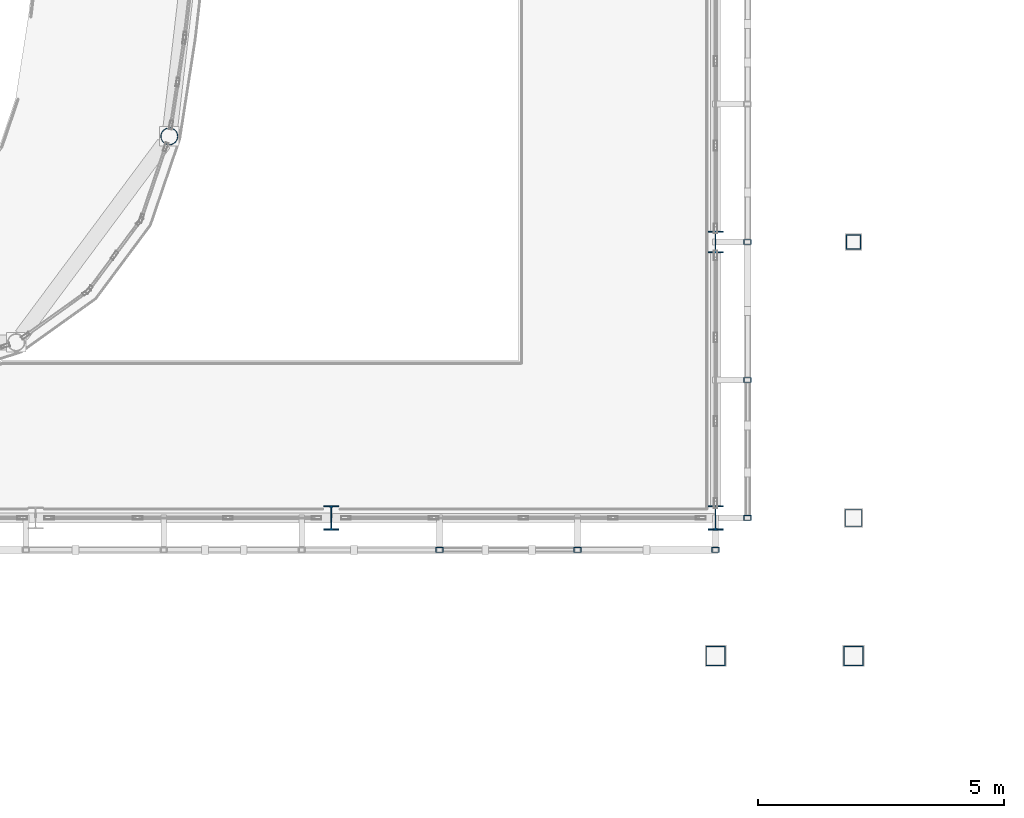
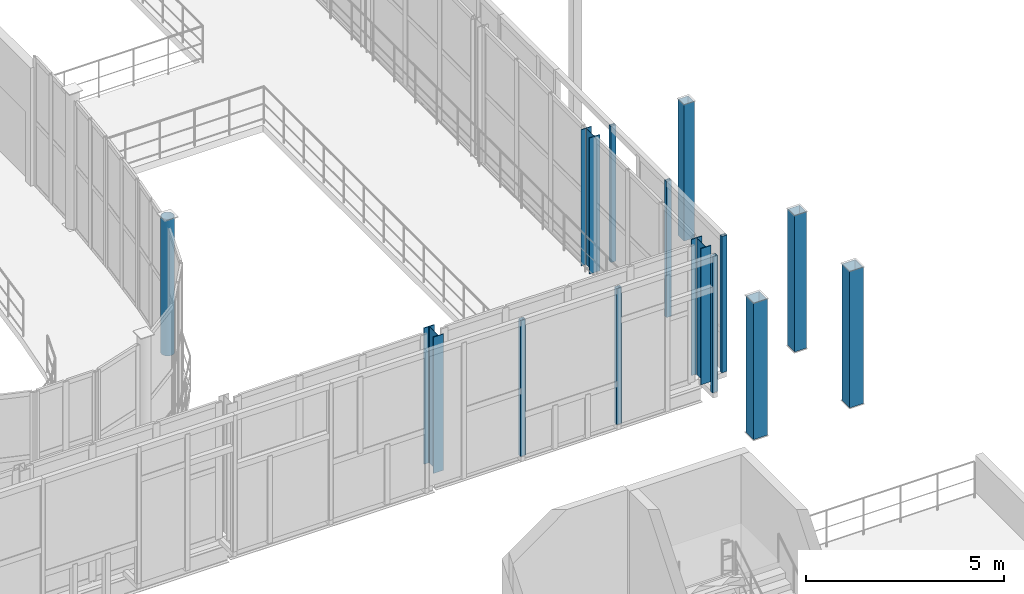
# One storey, part 4 of 138: 14 columns.
"""IFC4 building model written with IfcOpenShell, lengths in metres."""

from ifc_helpers import new_model, si_unit, direction, frame, origin, origin_2d, place, context, subcontext, project, spatial, hollow_rectangle, hollow_circle, i_section, extrude, material, material_profile, profile_set, type_object, element, save


model = new_model("IFC4")

# Units and contexts
model_context = context("Model", 3, precision=1e-05, world=origin(), true_north=direction((0.0, 1.0)))
body_context = subcontext(model_context, "Body", "Model", "MODEL_VIEW")
ifc_project = project(units=[si_unit("LENGTHUNIT", "METRE"), si_unit("AREAUNIT", "SQUARE_METRE"), si_unit("VOLUMEUNIT", "CUBIC_METRE"), si_unit("PLANEANGLEUNIT", "RADIAN"), si_unit("MASSUNIT", "GRAM", prefix="KILO")], contexts=[model_context])

# Site, building, storey
site_placement = place(None, origin())
site = spatial("IfcSite", under=ifc_project, at=site_placement, CompositionType="ELEMENT")
building_placement = place(site_placement, origin())
building = spatial("IfcBuilding", under=site, at=building_placement, Name="Vinh Khe Railworks Police Headquarters", CompositionType="ELEMENT")
storey_placement = place(building_placement, frame((0.0, 0.0, 9.0)))
storey = spatial("IfcBuildingStorey", under=building, at=storey_placement, Name="L02", CompositionType="ELEMENT", Elevation=9.0)

# Columns
ifc_material = material(Name="Steel S355JR", Category="steel")
ifc_material_profile_1 = material_profile(ifc_material, hollow_rectangle(XDim=0.14990234375, YDim=0.10009765625, WallThickness=0.008056640625, at=origin_2d()), Name="RHS 150x100x8")
ifc_profile_set_1 = profile_set([ifc_material_profile_1], Name="Steel S355JR")
column_type_1 = type_object("IfcColumnType", Name="COL-QUILT-POST", PredefinedType="COLUMN", material=ifc_profile_set_1)
for number, where, z_axis, x_axis, name in (
    (1, (54.39990234375, 24.550048828125, 0.0), (0.0, 0.0, 1.0), (1.0, 0.0, 0.0), "Patchwork Quilt Carrier Column S-11 (L02)"),
    (2, (57.199951171875, 24.550048828125, 0.0), (0.0, 0.0, 1.0), (1.0, 0.0, 0.0), "Patchwork Quilt Carrier Column S-12 (L02)"),
    (3, (60.0, 24.550048828125, 0.0), (0.0, 0.0, 1.0), (1.0, 0.0, 0.0), "Patchwork Quilt Carrier Column S-13 (L02)"),
    (4, (60.64990234375, 25.199951171875, 0.0), (0.0, 0.0, 1.0), (1.0, 0.0, 0.0), "Patchwork Quilt Carrier Column E-1 (L02)"),
    (5, (60.64990234375, 28.0, 0.0), (0.0, 0.0, 1.0), (1.0, 0.0, 0.0), "Patchwork Quilt Carrier Column E-2 (L02)"),
    (6, (60.64990234375, 30.800048828125, 0.0), (0.0, 0.0, 1.0), (1.0, 0.0, 0.0), "Patchwork Quilt Carrier Column E-3 (L02)"),
):
    element("IfcColumn", number, at=place(storey_placement, frame(where, z_axis=z_axis, x_axis=x_axis)), inside=storey, type_object=column_type_1, Name=name, PredefinedType="COLUMN", context=body_context, shape_type="SweptSolid", body=[
        extrude(hollow_rectangle(XDim=0.14990234375, YDim=0.10009765625, WallThickness=0.008056640625, at=origin_2d()), origin(), (0.0, 0.0, 1.0), 4.199951171875),
    ])
ifc_material_profile_2 = material_profile(ifc_material, hollow_circle(Radius=0.177734375, WallThickness=0.01611328125, at=origin_2d()), Name="CHS 355.6x16")
ifc_profile_set_2 = profile_set([ifc_material_profile_2], Name="Steel S355JR")
column_type_2 = type_object("IfcColumnType", Name="Steel Column CHS 355.6x16", PredefinedType="COLUMN", material=ifc_profile_set_2)
column_1_placement = place(storey_placement, frame((48.9130859375, 32.944091796875, 0.0), z_axis=(0.0, 0.0, 1.0), x_axis=(0.988148142789, -0.15350325046, 0.0)))
element("IfcColumn", 7, at=column_1_placement, inside=storey, type_object=column_type_2, Name="Column COL-L02-SC-27-0942", PredefinedType="COLUMN", context=body_context, shape_type="SweptSolid", body=[
    extrude(hollow_circle(Radius=0.177734375, WallThickness=0.01611328125, at=origin_2d()), origin(), (0.0, 0.0, 1.0), 4.199951171875),
])
ifc_material_profile_3 = material_profile(ifc_material, i_section(OverallWidth=0.300048828125, OverallDepth=0.43994140625, WebThickness=0.011474609375, FlangeThickness=0.02099609375, FilletRadius=0.027099609375, at=origin_2d()), Name="HEA 450")
ifc_profile_set_3 = profile_set([ifc_material_profile_3], Name="Steel S355JR")
column_type_3 = type_object("IfcColumnType", Name="Steel Column HEA 450", PredefinedType="COLUMN", material=ifc_profile_set_3)
column_2_placement = place(storey_placement, frame((60.0, 30.800048828125, 0.0), z_axis=(0.0, 0.0, 1.0), x_axis=(1.0, 0.0, 0.0)))
element("IfcColumn", 8, at=column_2_placement, inside=storey, type_object=column_type_3, Name="Column COL-L02-SC-14-1015", PredefinedType="COLUMN", context=body_context, shape_type="SweptSolid", body=[
    extrude(i_section(OverallWidth=0.300048828125, OverallDepth=0.43994140625, WebThickness=0.011474609375, FlangeThickness=0.02099609375, FilletRadius=0.027099609375, at=origin_2d()), origin(), (0.0, 0.0, 1.0), 4.199951171875),
])
ifc_material_profile_4 = material_profile(ifc_material, i_section(OverallWidth=0.300048828125, OverallDepth=0.489990234375, WebThickness=0.011962890625, FlangeThickness=0.02294921875, FilletRadius=0.027099609375, at=origin_2d()), Name="HEA 500")
ifc_profile_set_4 = profile_set([ifc_material_profile_4], Name="Steel S355JR")
column_type_4 = type_object("IfcColumnType", Name="Steel Column HEA 500", PredefinedType="COLUMN", material=ifc_profile_set_4)
for number, where, z_axis, x_axis, name in (
    (9, (52.199951171875, 25.199951171875, 0.0), (0.0, 0.0, 1.0), (1.0, 0.0, 0.0), "Column COL-L02-SC-13-0971"),
    (10, (60.0, 25.199951171875, 0.0), (0.0, 0.0, 1.0), (1.0, 0.0, 0.0), "Column COL-L02-SC-13-1010"),
):
    element("IfcColumn", number, at=place(storey_placement, frame(where, z_axis=z_axis, x_axis=x_axis)), inside=storey, type_object=column_type_4, Name=name, PredefinedType="COLUMN", context=body_context, shape_type="SweptSolid", body=[
        extrude(i_section(OverallWidth=0.300048828125, OverallDepth=0.489990234375, WebThickness=0.011962890625, FlangeThickness=0.02294921875, FilletRadius=0.027099609375, at=origin_2d()), origin(), (0.0, 0.0, 1.0), 4.199951171875),
    ])
ifc_material_profile_5 = material_profile(ifc_material, hollow_rectangle(XDim=0.300048828125, YDim=0.300048828125, WallThickness=0.01611328125, at=origin_2d()), Name="SHS 300x300x16")
ifc_profile_set_5 = profile_set([ifc_material_profile_5], Name="Steel S355JR")
column_type_5 = type_object("IfcColumnType", Name="Steel Column SHS 300x300x16", PredefinedType="COLUMN", material=ifc_profile_set_5)
column_3_placement = place(storey_placement, frame((62.800048828125, 30.800048828125, 0.0), z_axis=(0.0, 0.0, 1.0), x_axis=(1.0, 0.0, 0.0)))
element("IfcColumn", 11, at=column_3_placement, inside=storey, type_object=column_type_5, Name="Column COL-L02-SC-23-1079", PredefinedType="COLUMN", context=body_context, shape_type="SweptSolid", body=[
    extrude(hollow_rectangle(XDim=0.300048828125, YDim=0.300048828125, WallThickness=0.01611328125, at=origin_2d()), origin(), (0.0, 0.0, 1.0), 4.199951171875),
])
ifc_material_profile_6 = material_profile(ifc_material, hollow_rectangle(XDim=0.35009765625, YDim=0.35009765625, WallThickness=0.01611328125, at=origin_2d()), Name="SHS 350x350x16")
ifc_profile_set_6 = profile_set([ifc_material_profile_6], Name="Steel S355JR")
column_type_6 = type_object("IfcColumnType", Name="Steel Column SHS 350x350x16", PredefinedType="COLUMN", material=ifc_profile_set_6)
column_4_placement = place(storey_placement, frame((62.800048828125, 25.199951171875, 0.0), z_axis=(0.0, 0.0, 1.0), x_axis=(1.0, 0.0, 0.0)))
element("IfcColumn", 12, at=column_4_placement, inside=storey, type_object=column_type_6, Name="Column COL-L02-SC-22-1074", PredefinedType="COLUMN", context=body_context, shape_type="SweptSolid", body=[
    extrude(hollow_rectangle(XDim=0.35009765625, YDim=0.35009765625, WallThickness=0.01611328125, at=origin_2d()), origin(), (0.0, 0.0, 1.0), 4.199951171875),
])
ifc_material_profile_7 = material_profile(ifc_material, hollow_rectangle(XDim=0.39990234375, YDim=0.39990234375, WallThickness=0.02001953125, at=origin_2d()), Name="SHS 400x400x20")
ifc_profile_set_7 = profile_set([ifc_material_profile_7], Name="Steel S355JR")
column_type_7 = type_object("IfcColumnType", Name="Steel Column SHS 400x400x20", PredefinedType="COLUMN", material=ifc_profile_set_7)
for number, where, z_axis, x_axis, name in (
    (13, (60.0, 22.39990234375, 0.0), (0.0, 0.0, 1.0), (1.0, 0.0, 0.0), "Column COL-L02-SC-21-1005"),
    (14, (62.800048828125, 22.39990234375, 0.0), (0.0, 0.0, 1.0), (1.0, 0.0, 0.0), "Column COL-L02-SC-21-1069"),
):
    element("IfcColumn", number, at=place(storey_placement, frame(where, z_axis=z_axis, x_axis=x_axis)), inside=storey, type_object=column_type_7, Name=name, PredefinedType="COLUMN", context=body_context, shape_type="SweptSolid", body=[
        extrude(hollow_rectangle(XDim=0.39990234375, YDim=0.39990234375, WallThickness=0.02001953125, at=origin_2d()), origin(), (0.0, 0.0, 1.0), 4.199951171875),
    ])

save(model, "model.ifc")
